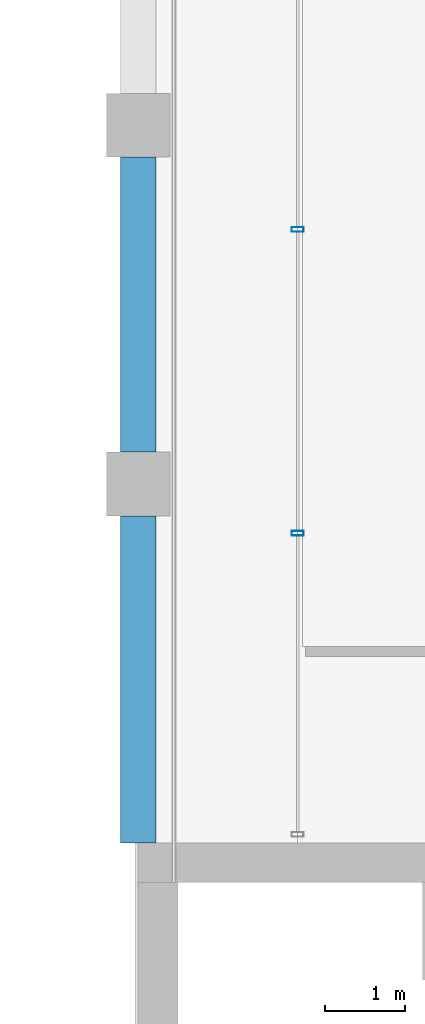
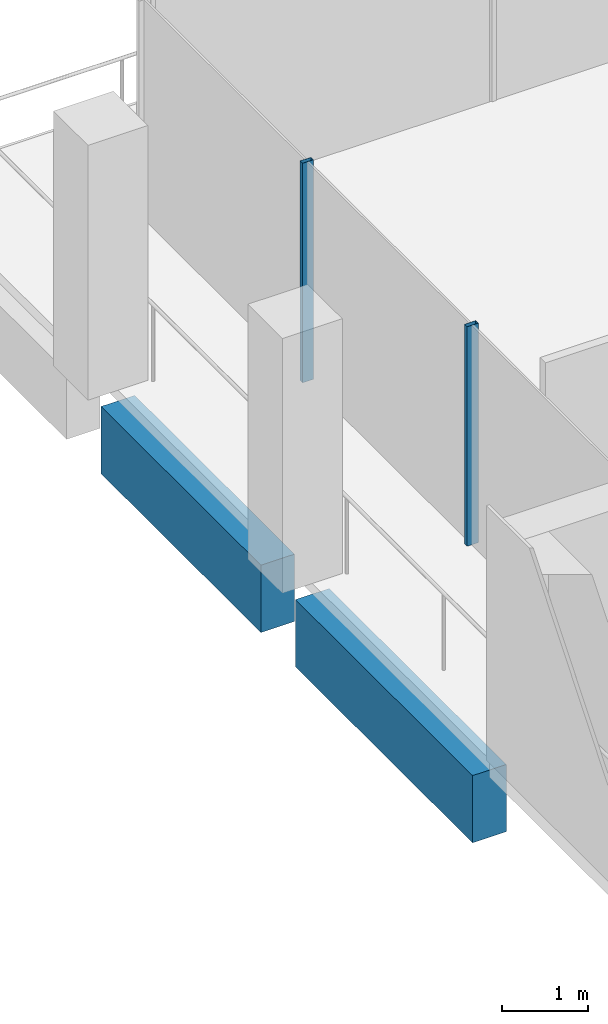
# One storey, part 20 of 40: 2 beams, 2 members, 1 element without a shape of its own.
"""IFC4 building model written with IfcOpenShell, lengths in metres."""

from ifc_helpers import new_model, si_unit, direction, frame, origin, origin_2d, place, context, subcontext, project, spatial, rectangle, hollow_rectangle, extrude, material, material_profile, profile_set, type_object, element, aggregate, save


model = new_model("IFC4")

# Units and contexts
model_context = context("Model", 3, precision=1e-05, world=origin(), true_north=direction((0.0, 1.0)))
body_context = subcontext(model_context, "Body", "Model", "MODEL_VIEW")
ifc_project = project(units=[si_unit("LENGTHUNIT", "METRE"), si_unit("AREAUNIT", "SQUARE_METRE"), si_unit("VOLUMEUNIT", "CUBIC_METRE"), si_unit("PLANEANGLEUNIT", "RADIAN"), si_unit("MASSUNIT", "GRAM", prefix="KILO")], contexts=[model_context])

# Site, building, storey
site_placement = place(None, origin())
site = spatial("IfcSite", under=ifc_project, at=site_placement, CompositionType="ELEMENT")
building_placement = place(site_placement, origin())
building = spatial("IfcBuilding", under=site, at=building_placement, Name="Altepetl Exchange Towers", CompositionType="ELEMENT")
storey_placement = place(building_placement, frame((0.0, 0.0, 202.800048828125)))
storey = spatial("IfcBuildingStorey", under=building, at=storey_placement, Name="L51", CompositionType="ELEMENT", Elevation=202.800048828125)

# Curtain wall, members
ifc_material_1 = material(Name="Aluminium 6063-T6 glazing", Category="aluminium")
curtain_wall_type = type_object("IfcCurtainWallType", Name="Loggia glazing system", PredefinedType="NOTDEFINED", material=ifc_material_1)
curtain_wall_placement = place(storey_placement, origin())
curtain_wall = element("IfcCurtainWall", 1, at=curtain_wall_placement, inside=storey, type_object=curtain_wall_type, Name="CW1 run", PredefinedType="NOTDEFINED")
ifc_material_2 = material(Name="Aluminium 6063-T6", Category="aluminium")
ifc_material_profile_1 = material_profile(ifc_material_2, hollow_rectangle(XDim=0.06005859375, YDim=0.14990234375, WallThickness=0.0029296875, at=origin_2d()), Name="Mullion 60x150 aluminium")
ifc_profile_set_1 = profile_set([ifc_material_profile_1], Name="Aluminium 6063-T6")
member_type = type_object("IfcMemberType", Name="Mullion 60x150 aluminium", PredefinedType="MULLION", material=ifc_profile_set_1)
member_1_placement = place(storey_placement, frame((42.5, 66.191650390625, 0.0), z_axis=(0.0, 0.0, 1.0), x_axis=(0.0, -1.0, 0.0)))
member_1 = element("IfcMember", 2, at=member_1_placement, type_object=member_type, Name="MU1 mullion", PredefinedType="MULLION", context=body_context, shape_type="SweptSolid", body=[
    extrude(hollow_rectangle(XDim=0.06005859375, YDim=0.14990234375, WallThickness=0.0029296875, at=origin_2d()), origin(), (0.0, 0.0, 1.0), 3.099853515625),
])
member_2_placement = place(storey_placement, frame((42.5, 62.38330078125, 0.0), z_axis=(0.0, 0.0, 1.0), x_axis=(0.0, -1.0, 0.0)))
member_2 = element("IfcMember", 3, at=member_2_placement, type_object=member_type, Name="MU1 mullion", PredefinedType="MULLION", context=body_context, shape_type="SweptSolid", body=[
    extrude(hollow_rectangle(XDim=0.06005859375, YDim=0.14990234375, WallThickness=0.0029296875, at=origin_2d()), origin(), (0.0, 0.0, 1.0), 3.099853515625),
])
aggregate(curtain_wall, [member_1, member_2])

# Beams
ifc_material_3 = material(Name="Concrete C50/60 precast with tezontle facing", Category="concrete")
ifc_material_profile_2 = material_profile(ifc_material_3, rectangle(XDim=0.449951171875, YDim=0.949951171875, at=origin_2d()), Name="450 x 950")
ifc_profile_set_2 = profile_set([ifc_material_profile_2], Name="Concrete C50/60 precast with tezontle facing")
beam_type = type_object("IfcBeamType", Name="Spandrel beam 450x950 tezontle", PredefinedType="SPANDREL", material=ifc_profile_set_2)
beam_1_placement = place(storey_placement, frame((40.5, 67.10009765625, -0.625), z_axis=(0.0, -1.0, 0.0), x_axis=(1.0, 0.0, 0.0)))
element("IfcBeam", 4, at=beam_1_placement, inside=storey, type_object=beam_type, Name="sp:A:L51:031", PredefinedType="SPANDREL", context=body_context, shape_type="SweptSolid", body=[
    extrude(rectangle(XDim=0.449951171875, YDim=0.949951171875, at=origin_2d()), origin(), (0.0, 0.0, 1.0), 3.7001953125),
])
beam_2_placement = place(storey_placement, frame((40.5, 62.60009765625, -0.625), z_axis=(0.0, -1.0, 0.0), x_axis=(1.0, 0.0, 0.0)))
element("IfcBeam", 5, at=beam_2_placement, inside=storey, type_object=beam_type, Name="sp:A:L51:032", PredefinedType="SPANDREL", context=body_context, shape_type="SweptSolid", body=[
    extrude(rectangle(XDim=0.449951171875, YDim=0.949951171875, at=origin_2d()), origin(), (0.0, 0.0, 1.0), 4.10009765625),
])

save(model, "model.ifc")
